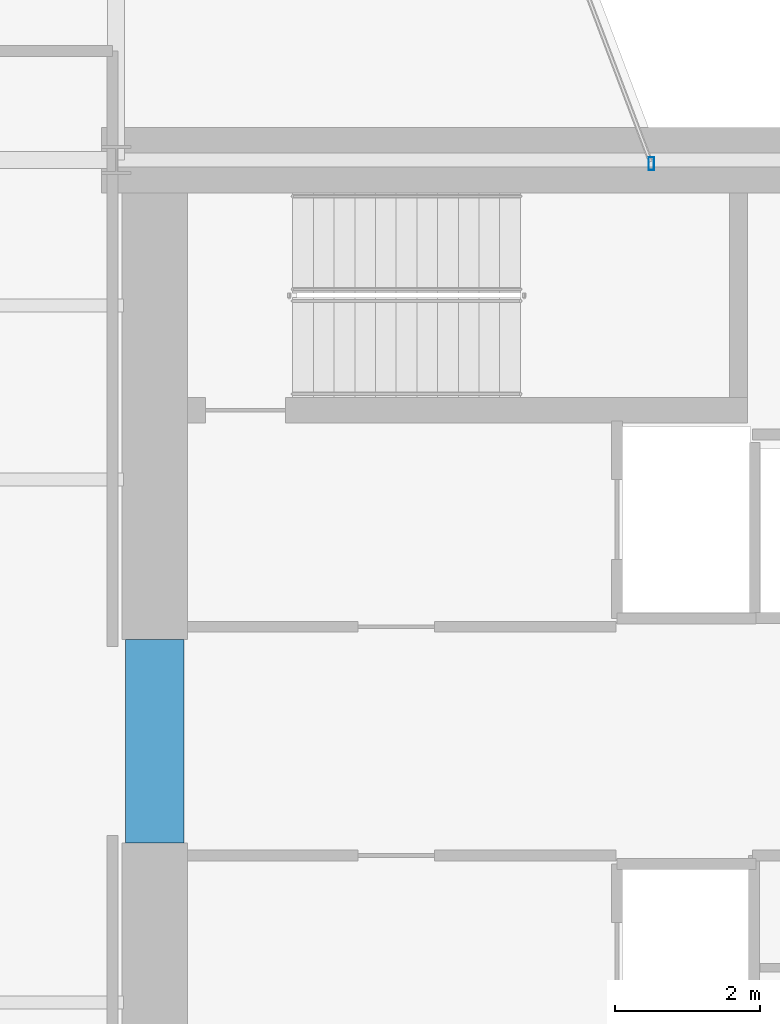
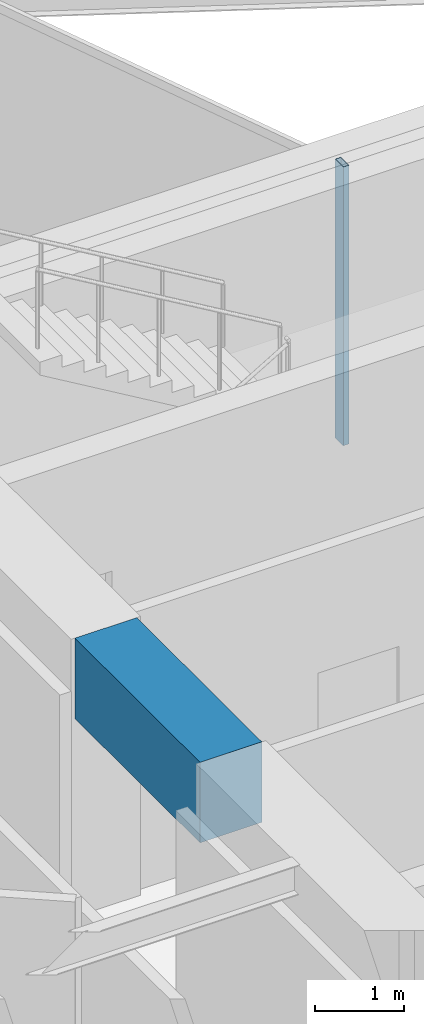
# One storey, part 16 of 29: 1 beam, 1 member, 1 element without a shape of its own.
"""IFC4 building model written with IfcOpenShell, lengths in metres."""

from ifc_helpers import new_model, si_unit, direction, frame, origin, origin_2d, place, context, subcontext, project, spatial, rectangle, hollow_rectangle, extrude, material, layer, layer_set, material_profile, profile_set, type_object, element, aggregate, save


model = new_model("IFC4")

# Units and contexts
model_context = context("Model", 3, precision=1e-05, world=origin(), true_north=direction((0.0, 1.0)))
body_context = subcontext(model_context, "Body", "Model", "MODEL_VIEW")
ifc_project = project(units=[si_unit("LENGTHUNIT", "METRE"), si_unit("AREAUNIT", "SQUARE_METRE"), si_unit("VOLUMEUNIT", "CUBIC_METRE"), si_unit("PLANEANGLEUNIT", "RADIAN"), si_unit("MASSUNIT", "GRAM", prefix="KILO")], contexts=[model_context])

# Site, building, storey
site_placement = place(None, origin())
site = spatial("IfcSite", under=ifc_project, at=site_placement, CompositionType="ELEMENT")
building_placement = place(site_placement, origin())
building = spatial("IfcBuilding", under=site, at=building_placement, Name="Veymaron Broadcast Tower", CompositionType="ELEMENT")
storey_placement = place(building_placement, frame((0.0, 0.0, 41.85009765625)))
storey = spatial("IfcBuildingStorey", under=building, at=storey_placement, Name="L08", CompositionType="ELEMENT", Elevation=41.85009765625)

# Beam
ifc_material_1 = material(Name="Concrete C70/85", Category="concrete")
ifc_material_profile_1 = material_profile(ifc_material_1, rectangle(XDim=0.800048828125, YDim=1.10009765625, at=origin_2d()), Name="RC800X1100")
ifc_profile_set_1 = profile_set([ifc_material_profile_1], Name="Concrete C70/85")
beam_type = type_object("IfcBeamType", Name="BM-CB1", PredefinedType="LINTEL", material=ifc_profile_set_1)
beam_placement = place(storey_placement, frame((39.530029296875, 22.60009765625, 3.260009765625), z_axis=(0.0, 1.0, 0.0), x_axis=(-1.0, 0.0, 0.0)))
element("IfcBeam", 1, at=beam_placement, inside=storey, type_object=beam_type, Name="L08 Core Wall west coupling beam", PredefinedType="LINTEL", context=body_context, shape_type="SweptSolid", body=[
    extrude(rectangle(XDim=0.800048828125, YDim=1.10009765625, at=origin_2d()), origin(), (0.0, 0.0, 1.0), 2.7998046875),
])

# Curtain wall, member
ifc_material_2 = material(Name="Anodised aluminium AA 6063-T6 and laminated low-E dark glass", Category="aluminium")
ifc_layer = layer(ifc_material_2, 0.179931640625)
ifc_layer_set = layer_set([ifc_layer], Name="Anodised aluminium AA 6063-T6 and laminated low-E dark glass")
curtain_wall_type = type_object("IfcCurtainWallType", Name="CW-SYS-02", PredefinedType="NOTDEFINED", material=ifc_layer_set)
curtain_wall_placement = place(storey_placement, origin())
curtain_wall = element("IfcCurtainWall", 2, at=curtain_wall_placement, inside=storey, type_object=curtain_wall_type, Name="L08 dark-glass curtain wall CW-L08-E5-1", PredefinedType="NOTDEFINED")
ifc_material_3 = material(Name="Anodised aluminium AA 6063-T6", Category="aluminium")
ifc_material_profile_2 = material_profile(ifc_material_3, hollow_rectangle(XDim=0.074951171875, YDim=0.179931640625, WallThickness=0.0048828125, at=origin_2d()), Name="AL180X75X5")
ifc_profile_set_2 = profile_set([ifc_material_profile_2], Name="Anodised aluminium AA 6063-T6")
member_type = type_object("IfcMemberType", Name="CW-MUL-02", PredefinedType="MULLION", material=ifc_profile_set_2)
member_placement = place(storey_placement, frame((46.3662109375, 31.950439453125, 0.0), z_axis=(0.0, 0.0, 1.0), x_axis=(1.0, 0.0, 0.0)))
member = element("IfcMember", 3, at=member_placement, type_object=member_type, Name="CW-L08-E5-1 mullion 0", PredefinedType="MULLION", context=body_context, shape_type="SweptSolid", body=[
    extrude(hollow_rectangle(XDim=0.074951171875, YDim=0.179931640625, WallThickness=0.0048828125, at=origin_2d()), origin(), (0.0, 0.0, 1.0), 3.809814453125),
])
aggregate(curtain_wall, [member])

save(model, "model.ifc")
